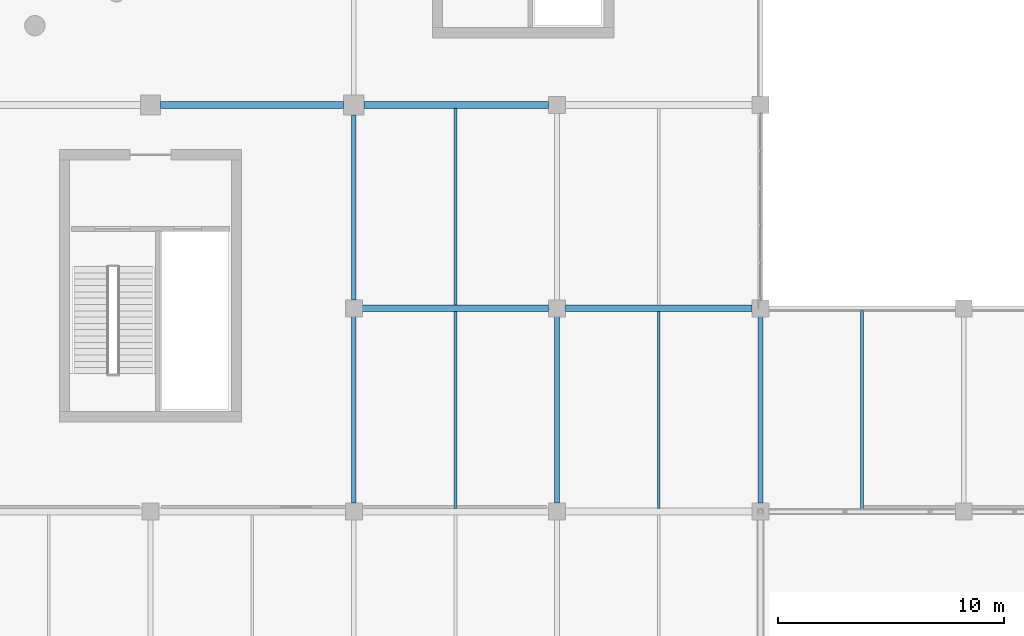
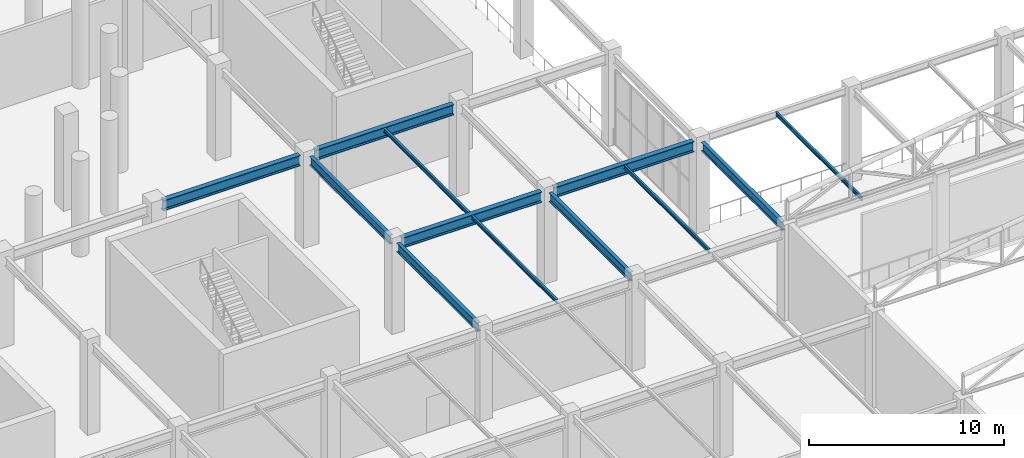
# One storey, part 57 of 223: 12 beams.
"""IFC4 building model written with IfcOpenShell, lengths in metres."""

from ifc_helpers import new_model, si_unit, direction, frame, origin, origin_2d, place, context, subcontext, project, spatial, i_section, extrude, material, material_profile, profile_set, type_object, element, save


model = new_model("IFC4")

# Units and contexts
model_context = context("Model", 3, precision=1e-05, world=origin(), true_north=direction((0.0, 1.0)))
body_context = subcontext(model_context, "Body", "Model", "MODEL_VIEW")
ifc_project = project(units=[si_unit("LENGTHUNIT", "METRE"), si_unit("AREAUNIT", "SQUARE_METRE"), si_unit("VOLUMEUNIT", "CUBIC_METRE"), si_unit("PLANEANGLEUNIT", "RADIAN"), si_unit("MASSUNIT", "GRAM", prefix="KILO")], contexts=[model_context])

# Site, building, storey
site_placement = place(None, origin())
site = spatial("IfcSite", under=ifc_project, at=site_placement, CompositionType="ELEMENT")
building_placement = place(site_placement, origin())
building = spatial("IfcBuilding", under=site, at=building_placement, Name="Dornveld Trade and Exhibition Forum", CompositionType="ELEMENT")
storey_placement = place(building_placement, frame((0.0, 0.0, 6.0)))
storey = spatial("IfcBuildingStorey", under=building, at=storey_placement, Name="L01", CompositionType="ELEMENT", Elevation=6.0)

# Beams
ifc_material_1 = material(Name="Steel S355J2", Category="steel")
ifc_material_profile_1 = material_profile(ifc_material_1, i_section(OverallWidth=0.300048828125, OverallDepth=0.64990234375, WebThickness=0.01611328125, FlangeThickness=0.031005859375, FilletRadius=0.027099609375, at=origin_2d()), Name="HEB 650")
ifc_profile_set_1 = profile_set([ifc_material_profile_1], Name="Steel S355J2")
beam_type_1 = type_object("IfcBeamType", Name="BM-GIR-HEB650", PredefinedType="USERDEFINED", material=ifc_profile_set_1)
for number, where, z_axis, x_axis, name in (
    (1, (135.37109375, 54.0, 5.31494140625), (1.0, 0.0, 0.0), (0.0, 1.0, 0.0), "L01 X-girder 1168"),
    (2, (144.37109375, 54.0, 5.31494140625), (1.0, 0.0, 0.0), (0.0, 1.0, 0.0), "L01 X-girder 1169"),
):
    element("IfcBeam", number, at=place(storey_placement, frame(where, z_axis=z_axis, x_axis=x_axis)), inside=storey, type_object=beam_type_1, Name=name, ObjectType="GIRDER", PredefinedType="USERDEFINED", context=body_context, shape_type="SweptSolid", body=[
        extrude(i_section(OverallWidth=0.300048828125, OverallDepth=0.64990234375, WebThickness=0.01611328125, FlangeThickness=0.031005859375, FilletRadius=0.027099609375, at=origin_2d()), origin(), (0.0, 0.0, 1.0), 8.2578125),
    ])
beam_1_placement = place(storey_placement, frame((126.446044921875, 63.0, 5.31494140625), z_axis=(1.0, 0.0, 0.0), x_axis=(0.0, 1.0, 0.0)))
element("IfcBeam", 3, at=beam_1_placement, inside=storey, type_object=beam_type_1, Name="L01 X-girder 1175", ObjectType="GIRDER", PredefinedType="USERDEFINED", context=body_context, shape_type="SweptSolid", body=[
    extrude(i_section(OverallWidth=0.300048828125, OverallDepth=0.64990234375, WebThickness=0.01611328125, FlangeThickness=0.031005859375, FilletRadius=0.027099609375, at=origin_2d()), origin(), (0.0, 0.0, 1.0), 8.10791015625),
])
beam_2_placement = place(storey_placement, frame((135.446044921875, 63.0, 5.31494140625), z_axis=(1.0, 0.0, 0.0), x_axis=(0.0, 1.0, 0.0)))
element("IfcBeam", 4, at=beam_2_placement, inside=storey, type_object=beam_type_1, Name="L01 X-girder 1176", ObjectType="GIRDER", PredefinedType="USERDEFINED", context=body_context, shape_type="SweptSolid", body=[
    extrude(i_section(OverallWidth=0.300048828125, OverallDepth=0.64990234375, WebThickness=0.01611328125, FlangeThickness=0.031005859375, FilletRadius=0.027099609375, at=origin_2d()), origin(), (0.0, 0.0, 1.0), 8.182861328125),
])
ifc_material_2 = material(Name="Steel S355J2", Category="steel")
ifc_material_profile_2 = material_profile(ifc_material_2, i_section(OverallWidth=0.1201171875, OverallDepth=0.239990234375, WebThickness=0.006103515625, FlangeThickness=0.009765625, FilletRadius=0.014892578125, at=origin_2d()), Name="IPE 240")
ifc_profile_set_2 = profile_set([ifc_material_profile_2], Name="Steel S355J2")
beam_type_2 = type_object("IfcBeamType", Name="BM-JOIST-240", PredefinedType="JOIST", material=ifc_profile_set_2)
for number, where, z_axis, x_axis, name in (
    (5, (139.5, 45.14697265625, 5.52001953125), (0.0, 1.0, 0.0), (-1.0, 0.0, 0.0), "L01 secondary joist 1269"),
    (6, (139.5, 54.14697265625, 5.52001953125), (0.0, 1.0, 0.0), (-1.0, 0.0, 0.0), "L01 secondary joist 1270"),
    (7, (148.5, 45.14697265625, 5.52001953125), (0.0, 1.0, 0.0), (-1.0, 0.0, 0.0), "L01 secondary joist 1273"),
):
    element("IfcBeam", number, at=place(storey_placement, frame(where, z_axis=z_axis, x_axis=x_axis)), inside=storey, type_object=beam_type_2, Name=name, PredefinedType="JOIST", context=body_context, shape_type="SweptSolid", body=[
        extrude(i_section(OverallWidth=0.1201171875, OverallDepth=0.239990234375, WebThickness=0.006103515625, FlangeThickness=0.009765625, FilletRadius=0.014892578125, at=origin_2d()), origin(), (0.0, 0.0, 1.0), 8.7060546875),
    ])
beam_3_placement = place(storey_placement, frame((157.5, 45.092041015625, 5.659912109375), z_axis=(0.0, 1.0, 0.0), x_axis=(-1.0, 0.0, 0.0)))
element("IfcBeam", 8, at=beam_3_placement, inside=storey, type_object=beam_type_2, Name="L01 secondary joist 1752", PredefinedType="JOIST", context=body_context, shape_type="SweptSolid", body=[
    extrude(i_section(OverallWidth=0.1201171875, OverallDepth=0.239990234375, WebThickness=0.006103515625, FlangeThickness=0.009765625, FilletRadius=0.014892578125, at=origin_2d()), origin(), (0.0, 0.0, 1.0), 8.81591796875),
])
ifc_material_3 = material(Name="Steel S355J2", Category="steel")
ifc_material_profile_3 = material_profile(ifc_material_3, i_section(OverallWidth=0.2099609375, OverallDepth=0.550048828125, WebThickness=0.010986328125, FlangeThickness=0.01708984375, FilletRadius=0.02392578125, at=origin_2d()), Name="IPE 550")
ifc_profile_set_3 = profile_set([ifc_material_profile_3], Name="Steel S355J2")
beam_type_3 = type_object("IfcBeamType", Name="BM-SEC-550", PredefinedType="BEAM", material=ifc_profile_set_3)
beam_4_placement = place(storey_placement, frame((135.0, 45.37109375, 5.364990234375), z_axis=(0.0, 1.0, 0.0), x_axis=(-1.0, 0.0, 0.0)))
element("IfcBeam", 9, at=beam_4_placement, inside=storey, type_object=beam_type_3, Name="L01 Y-girder 1231", PredefinedType="BEAM", context=body_context, shape_type="SweptSolid", body=[
    extrude(i_section(OverallWidth=0.2099609375, OverallDepth=0.550048828125, WebThickness=0.010986328125, FlangeThickness=0.01708984375, FilletRadius=0.02392578125, at=origin_2d()), origin(), (0.0, 0.0, 1.0), 8.2578125),
])
beam_5_placement = place(storey_placement, frame((135.0, 54.37109375, 5.364990234375), z_axis=(0.0, 1.0, 0.0), x_axis=(-1.0, 0.0, 0.0)))
element("IfcBeam", 10, at=beam_5_placement, inside=storey, type_object=beam_type_3, Name="L01 Y-girder 1232", PredefinedType="BEAM", context=body_context, shape_type="SweptSolid", body=[
    extrude(i_section(OverallWidth=0.2099609375, OverallDepth=0.550048828125, WebThickness=0.010986328125, FlangeThickness=0.01708984375, FilletRadius=0.02392578125, at=origin_2d()), origin(), (0.0, 0.0, 1.0), 8.182861328125),
])
for number, where, z_axis, x_axis, name in (
    (11, (144.0, 45.37109375, 5.364990234375), (0.0, 1.0, 0.0), (-1.0, 0.0, 0.0), "L01 Y-girder 1239"),
    (12, (153.0, 45.37109375, 5.364990234375), (0.0, 1.0, 0.0), (-1.0, 0.0, 0.0), "L01 Y-girder 1243"),
):
    element("IfcBeam", number, at=place(storey_placement, frame(where, z_axis=z_axis, x_axis=x_axis)), inside=storey, type_object=beam_type_3, Name=name, PredefinedType="BEAM", context=body_context, shape_type="SweptSolid", body=[
        extrude(i_section(OverallWidth=0.2099609375, OverallDepth=0.550048828125, WebThickness=0.010986328125, FlangeThickness=0.01708984375, FilletRadius=0.02392578125, at=origin_2d()), origin(), (0.0, 0.0, 1.0), 8.2578125),
    ])

save(model, "model.ifc")
